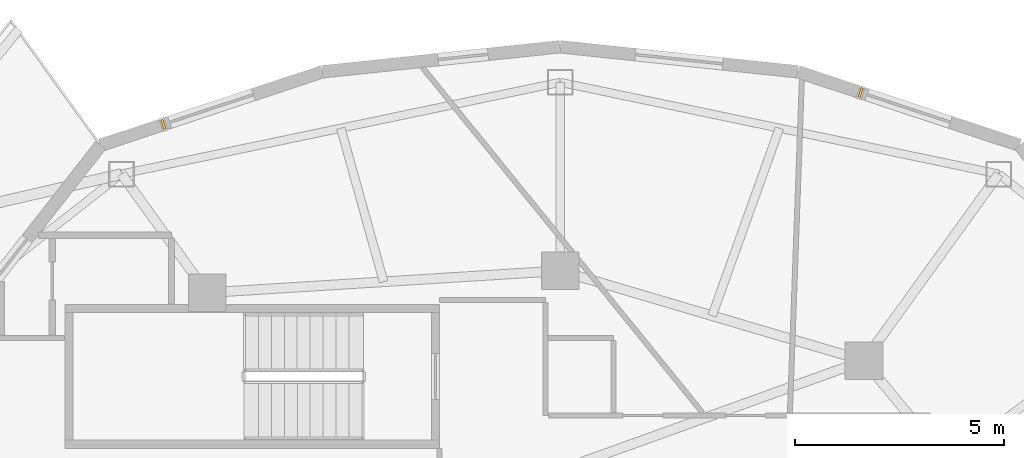
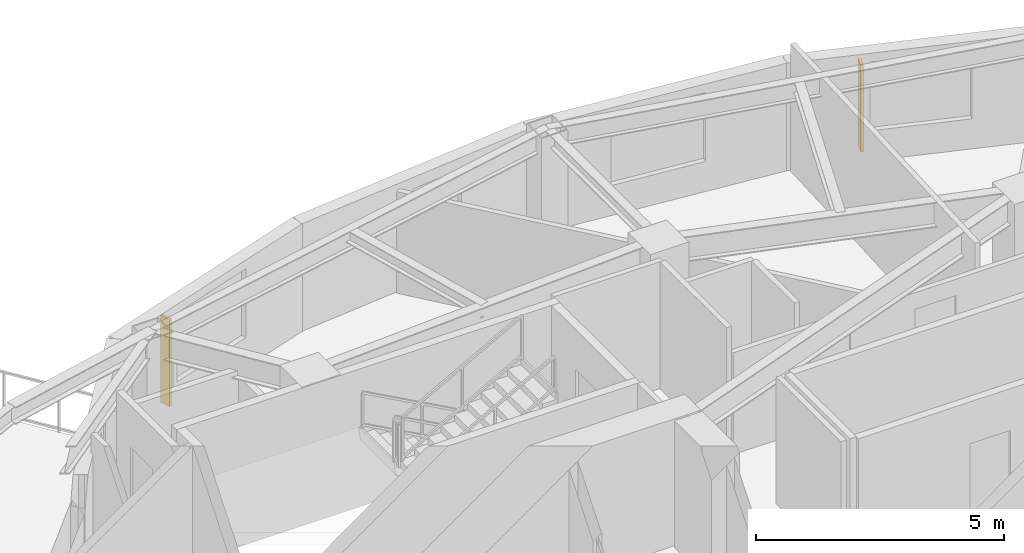
# One storey, part 12 of 12: 2 shading devices.
"""IFC4 building model written with IfcOpenShell, lengths in metres."""

from ifc_helpers import new_model, si_unit, direction, frame, origin, origin_2d, place, context, subcontext, project, spatial, rectangle, extrude, material, type_object, element, save


model = new_model("IFC4")

# Units and contexts
model_context = context("Model", 3, precision=1e-05, world=origin(), true_north=direction((0.0, 1.0)))
body_context = subcontext(model_context, "Body", "Model", "MODEL_VIEW")
ifc_project = project(units=[si_unit("LENGTHUNIT", "METRE"), si_unit("AREAUNIT", "SQUARE_METRE"), si_unit("VOLUMEUNIT", "CUBIC_METRE"), si_unit("PLANEANGLEUNIT", "RADIAN"), si_unit("MASSUNIT", "GRAM", prefix="KILO")], contexts=[model_context])

# Site, building, storey
site_placement = place(None, origin())
site = spatial("IfcSite", under=ifc_project, at=site_placement, CompositionType="ELEMENT")
building_placement = place(site_placement, origin())
building = spatial("IfcBuilding", under=site, at=building_placement, Name="Kolvaren Gate Tower and Convention Centre", CompositionType="ELEMENT")
storey_placement = place(building_placement, frame((0.0, 0.0, 180.10009765625)))
storey = spatial("IfcBuildingStorey", under=building, at=storey_placement, Name="L47", CompositionType="ELEMENT", Elevation=180.10009765625)

# Shading devices
ifc_material = material(Name="Kiln-Fired Bogota Terracotta Ceramic Louvre Profile", Category="masonry")
shading_device_type = type_object("IfcShadingDeviceType", Name="ARCH-SHD-FIN-180", PredefinedType="JALOUSIE", material=ifc_material)
for number, where, z_axis, x_axis, name in (
    (1, (37.2998046875, 43.455810546875, 0.219970703125), (0.0, 0.0, 1.0), (0.949239532616, -0.314554144335, 0.0), "Ceramic Vertical Brise-Soleil Fin FN-L47-04"),
    (2, (20.6533203125, 42.69482421875, 0.219970703125), (0.0, 0.0, 1.0), (0.949237885602, 0.314559114537, 0.0), "Ceramic Vertical Brise-Soleil Fin FN-L47-07"),
):
    element("IfcShadingDevice", number, at=place(storey_placement, frame(where, z_axis=z_axis, x_axis=x_axis)), inside=storey, type_object=shading_device_type, Name=name, PredefinedType="JALOUSIE", context=body_context, shape_type="SweptSolid", body=[
        extrude(rectangle(XDim=0.06005859375, YDim=0.239990234375, at=origin_2d()), origin(), (0.0, 0.0, 1.0), 2.14990234375),
    ])

save(model, "model.ifc")
